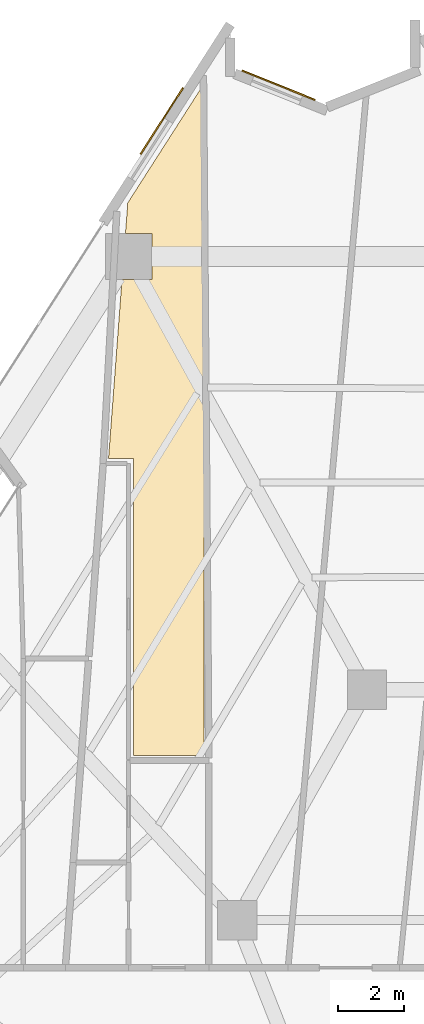
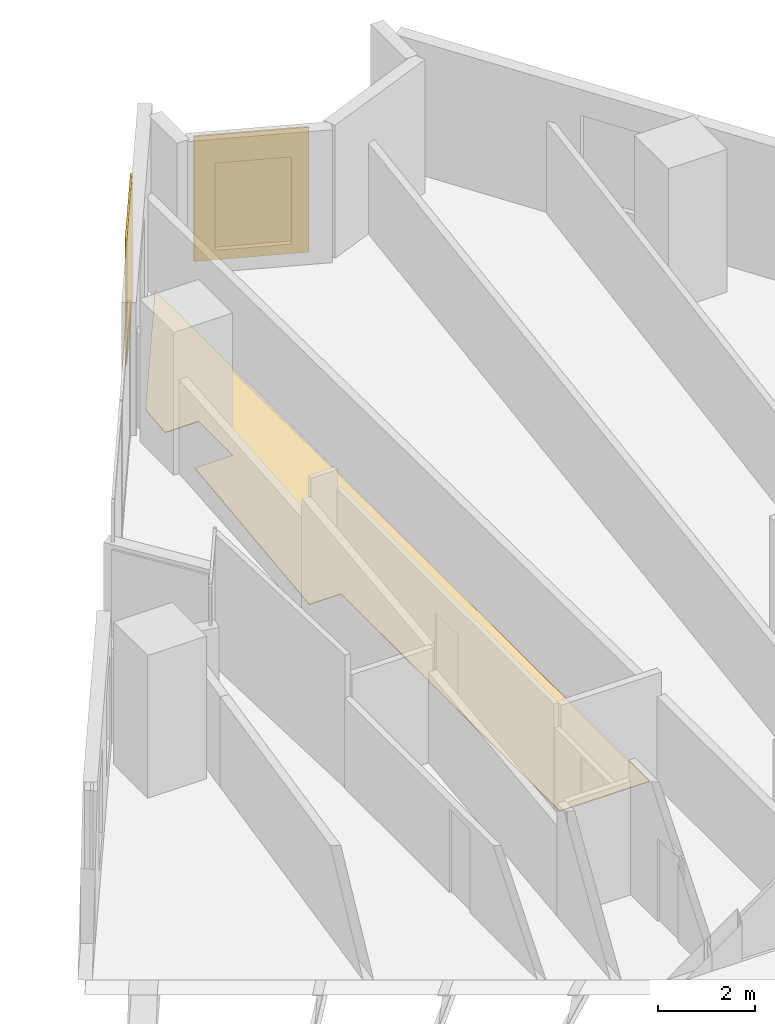
# One storey, part 14 of 14: 3 coverings.
"""IFC4 building model written with IfcOpenShell, lengths in metres."""

from ifc_helpers import new_model, si_unit, direction, frame, origin, origin_2d, place, context, subcontext, project, spatial, polyline, rectangle, outline, extrude, material, layer, layer_set, type_object, element, save


model = new_model("IFC4")

# Units and contexts
model_context = context("Model", 3, precision=1e-05, world=origin(), true_north=direction((0.0, 1.0)))
body_context = subcontext(model_context, "Body", "Model", "MODEL_VIEW")
ifc_project = project(units=[si_unit("LENGTHUNIT", "METRE"), si_unit("AREAUNIT", "SQUARE_METRE"), si_unit("VOLUMEUNIT", "CUBIC_METRE"), si_unit("PLANEANGLEUNIT", "RADIAN"), si_unit("MASSUNIT", "GRAM", prefix="KILO")], contexts=[model_context])

# Site, building, storey
site_placement = place(None, origin())
site = spatial("IfcSite", under=ifc_project, at=site_placement, CompositionType="ELEMENT")
building_placement = place(site_placement, origin())
building = spatial("IfcBuilding", under=site, at=building_placement, Name="Almagre Mirador Tower", CompositionType="ELEMENT")
storey_placement = place(building_placement, frame((0.0, 0.0, 46.199951171875)))
storey = spatial("IfcBuildingStorey", under=building, at=storey_placement, Name="L10", CompositionType="ELEMENT", Elevation=46.199951171875)

# Coverings
ifc_material_1 = material(Name="Almagre terracotta architectural cladding", Category="masonry")
ifc_layer_1 = layer(ifc_material_1, 0.044921875)
ifc_layer_set_1 = layer_set([ifc_layer_1], Name="Almagre terracotta architectural cladding")
covering_type_1 = type_object("IfcCoveringType", Name="COV-CLAD-ALMAGRE", PredefinedType="CLADDING", material=ifc_layer_set_1)
for number, where, z_axis, x_axis, name in (
    (1, (31.113037109375, 43.494384765625, 0.10009765625), (0.0, 0.0, 1.0), (0.539535148555, 0.841963077263, 0.0), "L10 almagre terracotta pier cladding"),
    (2, (34.6611328125, 44.5791015625, 0.10009765625), (0.0, 0.0, 1.0), (0.928070425871, -0.372404732278, 0.0), "L10 almagre terracotta pier cladding"),
):
    element("IfcCovering", number, at=place(storey_placement, frame(where, z_axis=z_axis, x_axis=x_axis)), inside=storey, type_object=covering_type_1, Name=name, PredefinedType="CLADDING", context=body_context, shape_type="SweptSolid", body=[
        extrude(rectangle(XDim=2.39990234375, YDim=0.044921875, at=origin_2d()), origin(), (0.0, 0.0, 1.0), 3.14990234375),
    ])
ifc_material_2 = material(Name="Engineered white oak flooring", Category="wood")
ifc_layer_2 = layer(ifc_material_2, 0.01806640625)
ifc_layer_set_2 = layer_set([ifc_layer_2], Name="Engineered white oak flooring")
covering_type_2 = type_object("IfcCoveringType", Name="COV-FLR-OAK-18", PredefinedType="FLOORING", material=ifc_layer_set_2)
covering_placement = place(storey_placement, origin())
element("IfcCovering", 3, at=covering_placement, inside=storey, type_object=covering_type_2, Name="L10 Unit L10-J Family Salon finish flooring", PredefinedType="FLOORING", context=body_context, shape_type="SweptSolid", body=[
    extrude(outline(polyline([(29.491943359375, 33.22998046875), (29.90087890625, 38.66796875), (30.806884765625, 38.66796875), (30.806884765625, 40.077880859375), (30.007080078125, 40.077880859375), (30.076904296875, 41.001953125), (30.22705078125, 41.239990234375), (32.389892578125, 44.617919921875), (32.389892578125, 24.199951171875), (30.25, 24.199951171875), (30.25, 33.22998046875), (29.491943359375, 33.22998046875)])), origin(), (0.0, 0.0, 1.0), 0.01806640625),
])

save(model, "model.ifc")
